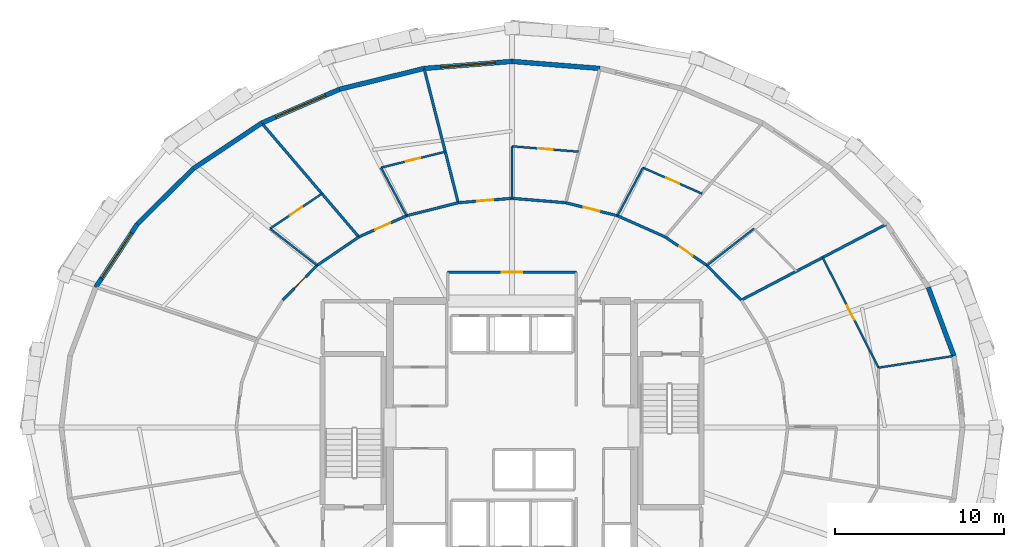
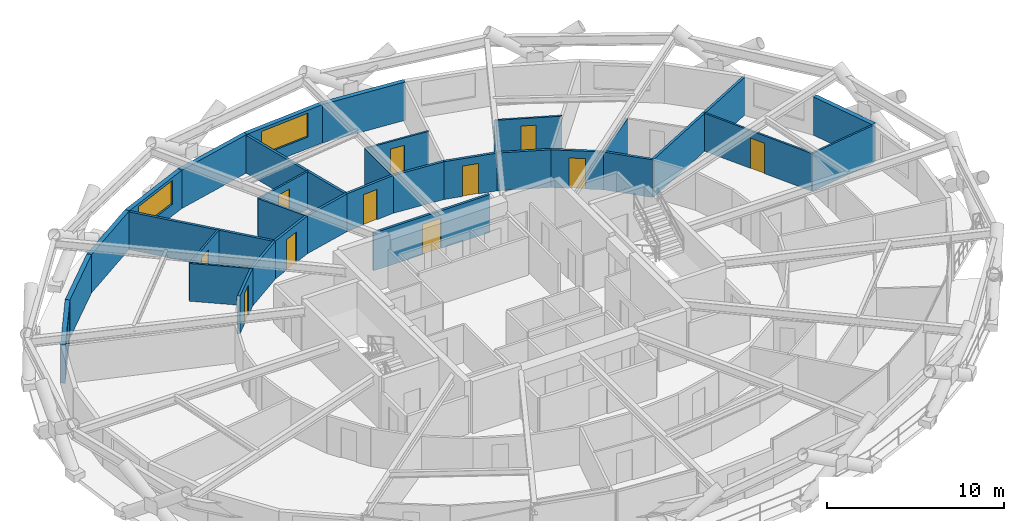
# One storey, part 14 of 17: 33 walls, 11 doors, 3 windows, 14 openings.
"""IFC4 building model written with IfcOpenShell, lengths in metres."""

from ifc_helpers import new_model, si_unit, direction, frame, frame_2d, origin, place, context, subcontext, project, spatial, rectangle, extrude, material, layer, layer_set, type_object, element, fill, save


model = new_model("IFC4")

# Units and contexts
model_context = context("Model", 3, precision=1e-05, world=origin(), true_north=direction((0.0, 1.0)))
body_context = subcontext(model_context, "Body", "Model", "MODEL_VIEW")
ifc_project = project(units=[si_unit("LENGTHUNIT", "METRE"), si_unit("AREAUNIT", "SQUARE_METRE"), si_unit("VOLUMEUNIT", "CUBIC_METRE"), si_unit("PLANEANGLEUNIT", "RADIAN"), si_unit("MASSUNIT", "GRAM", prefix="KILO")], contexts=[model_context])

# Site, building, storey
site_placement = place(None, origin())
site = spatial("IfcSite", under=ifc_project, at=site_placement, CompositionType="ELEMENT")
building_placement = place(site_placement, origin())
building = spatial("IfcBuilding", under=site, at=building_placement, Name="Veldorina Hangang Commons", CompositionType="ELEMENT")
storey_placement = place(building_placement, frame((0.0, 0.0, 55.60009765625)))
storey = spatial("IfcBuildingStorey", under=building, at=storey_placement, Name="L13", CompositionType="ELEMENT", Elevation=55.60009765625)

# Walls
ifc_material_1 = material(Name="Stone Roman Travertine", Category="masonry")
ifc_layer_1 = layer(ifc_material_1, 0.280029296875)
ifc_layer_set_1 = layer_set([ifc_layer_1], Name="Stone Roman Travertine")
wall_type_1 = type_object("IfcWallType", Name="EW-TRAV-280", PredefinedType="STANDARD", material=ifc_layer_set_1)
wall_1_placement = place(storey_placement, frame((58.089599609375, 28.214111328125, 0.0), z_axis=(0.0, 0.0, 1.0), x_axis=(-0.349991270329, 0.936752961401, 0.0)))
element("IfcWall", 1, at=wall_1_placement, inside=storey, type_object=wall_type_1, Name="L13 travertine facade wall 01", PredefinedType="STANDARD", context=body_context, shape_type="SweptSolid", body=[
    extrude(rectangle(XDim=4.32568359375, YDim=0.280029296875, at=frame_2d((2.162841796875, 0.0))), origin(), (0.0, 0.0, 1.0), 2.64990234375),
])
wall_2_placement = place(storey_placement, frame((37.189453125, 45.185546875, 0.0), z_axis=(0.0, 0.0, 1.0), x_axis=(-0.996817067632, 0.079722855428, 0.0)))
element("IfcWall", 2, at=wall_2_placement, inside=storey, type_object=wall_type_1, Name="L13 travertine facade wall 07", PredefinedType="STANDARD", context=body_context, shape_type="SweptSolid", body=[
    extrude(rectangle(XDim=5.2060546875, YDim=0.280029296875, at=frame_2d((2.60302734375, 0.0))), origin(), (0.0, 0.0, 1.0), 2.64990234375),
])

# Wall, opening, window
wall_3_placement = place(storey_placement, frame((32.0, 45.6005859375, 0.0), z_axis=(0.0, 0.0, 1.0), x_axis=(-0.996817067632, -0.079722855428, 0.0)))
wall_3 = element("IfcWall", 3, at=wall_3_placement, inside=storey, type_object=wall_type_1, Name="L13 travertine facade wall 08", PredefinedType="STANDARD", context=body_context, shape_type="SweptSolid", body=[
    extrude(rectangle(XDim=5.2060546875, YDim=0.280029296875, at=frame_2d((2.60302734375, 0.0))), origin(), (0.0, 0.0, 1.0), 2.64990234375),
])
opening_1_placement = place(wall_3_placement, frame((1.0029296875, 0.0, 0.800048828125)))
opening_1 = element("IfcOpeningElement", 4, at=opening_1_placement, cuts=wall_3, Name="Opening W-01", PredefinedType="OPENING", context=body_context, shape_type="SweptSolid", body=[
    extrude(rectangle(XDim=3.199951171875, YDim=1.64990234375, at=frame_2d((1.60009765625, 0.824951171875))), frame((0.0, 0.14990234375, 0.0), z_axis=(0.0, -1.0, 0.0), x_axis=(1.0, 0.0, 0.0)), (0.0, 0.0, 1.0), 0.300048828125),
])
ifc_material_2 = material(Name="Glass Low-E Triple IGU", Category="glass")
window_type = type_object("IfcWindowType", Name="WIN-TWR-3200", PartitioningType="SINGLE_PANEL", PredefinedType="WINDOW", material=ifc_material_2)
window_1_placement = place(opening_1_placement, origin())
window_1 = element("IfcWindow", 5, at=window_1_placement, inside=storey, type_object=window_type, Name="L13 facade window 08", OverallHeight=1.64990234375, OverallWidth=3.199951171875, PartitioningType="SINGLE_PANEL", PredefinedType="WINDOW", context=body_context, shape_type="SweptSolid", body=[
    extrude(rectangle(XDim=3.199951171875, YDim=1.64990234375, at=frame_2d((1.60009765625, 0.824951171875))), frame((0.0, 0.030029296875, 0.0), z_axis=(0.0, -1.0, 0.0), x_axis=(1.0, 0.0, 0.0)), (0.0, 0.0, 1.0), 0.06005859375),
])
fill(opening_1, window_1)

# Wall
wall_4_placement = place(storey_placement, frame((26.810546875, 45.185546875, 0.0), z_axis=(0.0, 0.0, 1.0), x_axis=(-0.970975005179, -0.23918097608, 0.0)))
element("IfcWall", 6, at=wall_4_placement, inside=storey, type_object=wall_type_1, Name="L13 travertine facade wall 09", PredefinedType="STANDARD", context=body_context, shape_type="SweptSolid", body=[
    extrude(rectangle(XDim=5.139404296875, YDim=0.280029296875, at=frame_2d((2.56982421875, 0.0))), origin(), (0.0, 0.0, 1.0), 2.64990234375),
])

# Wall, opening, window
wall_5_placement = place(storey_placement, frame((21.8203125, 43.956298828125, 0.0), z_axis=(0.0, 0.0, 1.0), x_axis=(-0.917319172231, -0.398152654465, 0.0)))
wall_5 = element("IfcWall", 7, at=wall_5_placement, inside=storey, type_object=wall_type_1, Name="L13 travertine facade wall 10", PredefinedType="STANDARD", context=body_context, shape_type="SweptSolid", body=[
    extrude(rectangle(XDim=5.013427734375, YDim=0.280029296875, at=frame_2d((2.5068359375, 0.0))), origin(), (0.0, 0.0, 1.0), 2.64990234375),
])
opening_2_placement = place(wall_5_placement, frame((0.90673828125, 0.0, 0.800048828125)))
opening_2 = element("IfcOpeningElement", 8, at=opening_2_placement, cuts=wall_5, Name="Opening W-01", PredefinedType="OPENING", context=body_context, shape_type="SweptSolid", body=[
    extrude(rectangle(XDim=3.199951171875, YDim=1.64990234375, at=frame_2d((1.60009765625, 0.824951171875))), frame((0.0, 0.14990234375, 0.0), z_axis=(0.0, -1.0, 0.0), x_axis=(1.0, 0.0, 0.0)), (0.0, 0.0, 1.0), 0.300048828125),
])
window_2_placement = place(opening_2_placement, origin())
window_2 = element("IfcWindow", 9, at=window_2_placement, inside=storey, type_object=window_type, Name="L13 facade window 10", OverallHeight=1.64990234375, OverallWidth=3.199951171875, PartitioningType="SINGLE_PANEL", PredefinedType="WINDOW", context=body_context, shape_type="SweptSolid", body=[
    extrude(rectangle(XDim=3.199951171875, YDim=1.64990234375, at=frame_2d((1.60009765625, 0.824951171875))), frame((0.0, 0.030029296875, 0.0), z_axis=(0.0, -1.0, 0.0), x_axis=(1.0, 0.0, 0.0)), (0.0, 0.0, 1.0), 0.06005859375),
])
fill(opening_2, window_2)

# Walls
wall_6_placement = place(storey_placement, frame((17.221435546875, 41.960205078125, 0.0), z_axis=(0.0, 0.0, 1.0), x_axis=(-0.832151080198, -0.55454898767, 0.0)))
element("IfcWall", 10, at=wall_6_placement, inside=storey, type_object=wall_type_1, Name="L13 travertine facade wall 11", PredefinedType="STANDARD", context=body_context, shape_type="SweptSolid", body=[
    extrude(rectangle(XDim=4.843994140625, YDim=0.280029296875, at=frame_2d((2.421875, 0.0))), origin(), (0.0, 0.0, 1.0), 2.64990234375),
])
wall_7_placement = place(storey_placement, frame((13.1904296875, 39.27392578125, 0.0), z_axis=(0.0, 0.0, 1.0), x_axis=(-0.710847800391, -0.703345864195, 0.0)))
element("IfcWall", 11, at=wall_7_placement, inside=storey, type_object=wall_type_1, Name="L13 travertine facade wall 12", PredefinedType="STANDARD", context=body_context, shape_type="SweptSolid", body=[
    extrude(rectangle(XDim=4.65380859375, YDim=0.280029296875, at=frame_2d((2.326904296875, 0.0))), origin(), (0.0, 0.0, 1.0), 2.64990234375),
])

# Wall, opening, window
wall_8_placement = place(storey_placement, frame((9.88232421875, 36.000732421875, 0.0), z_axis=(0.0, 0.0, 1.0), x_axis=(-0.549775955505, -0.835312156471, 0.0)))
wall_8 = element("IfcWall", 12, at=wall_8_placement, inside=storey, type_object=wall_type_1, Name="L13 travertine facade wall 13", PredefinedType="STANDARD", context=body_context, shape_type="SweptSolid", body=[
    extrude(rectangle(XDim=4.470947265625, YDim=0.280029296875, at=frame_2d((2.2353515625, 0.0))), origin(), (0.0, 0.0, 1.0), 2.64990234375),
])
opening_3_placement = place(wall_8_placement, frame((0.635498046875, 0.0, 0.800048828125)))
opening_3 = element("IfcOpeningElement", 13, at=opening_3_placement, cuts=wall_8, Name="Opening W-01", PredefinedType="OPENING", context=body_context, shape_type="SweptSolid", body=[
    extrude(rectangle(XDim=3.199951171875, YDim=1.64990234375, at=frame_2d((1.60009765625, 0.824951171875))), frame((0.0, 0.14990234375, 0.0), z_axis=(0.0, -1.0, 0.0), x_axis=(1.0, 0.0, 0.0)), (0.0, 0.0, 1.0), 0.300048828125),
])
window_3_placement = place(opening_3_placement, origin())
window_3 = element("IfcWindow", 14, at=window_3_placement, inside=storey, type_object=window_type, Name="L13 facade window 13", OverallHeight=1.64990234375, OverallWidth=3.199951171875, PartitioningType="SINGLE_PANEL", PredefinedType="WINDOW", context=body_context, shape_type="SweptSolid", body=[
    extrude(rectangle(XDim=3.199951171875, YDim=1.64990234375, at=frame_2d((1.60009765625, 0.824951171875))), frame((0.0, 0.030029296875, 0.0), z_axis=(0.0, -1.0, 0.0), x_axis=(1.0, 0.0, 0.0)), (0.0, 0.0, 1.0), 0.06005859375),
])
fill(opening_3, window_3)

# Wall, opening, door
ifc_material_3 = material(Name="Gypsum Fire-Rated Twin Stud Wall", Category="gypsum")
ifc_layer_2 = layer(ifc_material_3, 0.159912109375)
ifc_layer_set_2 = layer_set([ifc_layer_2], Name="Gypsum Fire-Rated Twin Stud Wall")
wall_type_2 = type_object("IfcWallType", Name="WL-FIRE-160", PredefinedType="SOLIDWALL", material=ifc_layer_set_2)
wall_9_placement = place(storey_placement, frame((28.199951171875, 33.14990234375, 0.0), z_axis=(0.0, 0.0, 1.0), x_axis=(1.0, 0.0, 0.0)))
wall_9 = element("IfcWall", 15, at=wall_9_placement, inside=storey, type_object=wall_type_2, Name="L13 North lobby north wall 034", PredefinedType="SOLIDWALL", context=body_context, shape_type="SweptSolid", body=[
    extrude(rectangle(XDim=7.60009765625, YDim=0.159912109375, at=frame_2d((3.800048828125, 0.0))), origin(), (0.0, 0.0, 1.0), 2.60986328125),
])
opening_4_placement = place(wall_9_placement, frame((3.199951171875, 0.0, 0.0)))
opening_4 = element("IfcOpeningElement", 16, at=opening_4_placement, cuts=wall_9, Name="Opening D-09", PredefinedType="OPENING", context=body_context, shape_type="SweptSolid", body=[
    extrude(rectangle(XDim=1.199951171875, YDim=2.10009765625, at=frame_2d((0.60009765625, 1.050048828125))), frame((0.0, 0.08984375, 0.0), z_axis=(0.0, -1.0, 0.0), x_axis=(1.0, 0.0, 0.0)), (0.0, 0.0, 1.0), 0.179931640625),
])
ifc_material_4 = material(Name="Steel Fire-Rated Corridor Door", Category="steel")
door_type_1 = type_object("IfcDoorType", Name="DR-FIRE-1200", OperationType="SINGLE_SWING_LEFT", PredefinedType="DOOR", material=ifc_material_4)
door_1_placement = place(opening_4_placement, origin())
door_1 = element("IfcDoor", 17, at=door_1_placement, inside=storey, type_object=door_type_1, Name="L13 North lift lobby corridor door 012", OperationType="SINGLE_SWING_RIGHT", OverallHeight=2.10009765625, OverallWidth=1.199951171875, PredefinedType="DOOR", context=body_context, shape_type="SweptSolid", body=[
    extrude(rectangle(XDim=1.199951171875, YDim=2.10009765625, at=frame_2d((0.60009765625, 1.050048828125))), frame((0.0, 0.02490234375, 0.0), z_axis=(0.0, -1.0, 0.0), x_axis=(1.0, 0.0, 0.0)), (0.0, 0.0, 1.0), 0.050048828125),
])
fill(opening_4, door_1)

# Wall
wall_10_placement = place(storey_placement, frame((45.53125, 31.51025390625, 0.0), z_axis=(0.0, 0.0, 1.0), x_axis=(-0.702811997, 0.711375636969, 0.0)))
element("IfcWall", 18, at=wall_10_placement, inside=storey, type_object=wall_type_2, Name="L13 Corridor outer wall 03 050", PredefinedType="SOLIDWALL", context=body_context, shape_type="SweptSolid", body=[
    extrude(rectangle(XDim=2.87939453125, YDim=0.159912109375, at=frame_2d((1.439697265625, 0.0))), origin(), (0.0, 0.0, 1.0), 2.60986328125),
])

# Wall, opening, door
wall_11_placement = place(storey_placement, frame((43.507568359375, 33.55859375, 0.0), z_axis=(0.0, 0.0, 1.0), x_axis=(-0.826293096206, 0.56324037423, 0.0)))
wall_11 = element("IfcWall", 19, at=wall_11_placement, inside=storey, type_object=wall_type_2, Name="L13 Corridor outer wall 04 051", PredefinedType="SOLIDWALL", context=body_context, shape_type="SweptSolid", body=[
    extrude(rectangle(XDim=2.98486328125, YDim=0.159912109375, at=frame_2d((1.492431640625, 0.0))), origin(), (0.0, 0.0, 1.0), 2.60986328125),
])
opening_5_placement = place(wall_11_placement, frame((1.017333984375, 0.0, 0.0)))
opening_5 = element("IfcOpeningElement", 20, at=opening_5_placement, cuts=wall_11, Name="Opening D-03", PredefinedType="OPENING", context=body_context, shape_type="SweptSolid", body=[
    extrude(rectangle(XDim=0.949951171875, YDim=2.10009765625, at=frame_2d((0.47509765625, 1.050048828125))), frame((0.0, 0.08984375, 0.0), z_axis=(0.0, -1.0, 0.0), x_axis=(1.0, 0.0, 0.0)), (0.0, 0.0, 1.0), 0.179931640625),
])
ifc_material_5 = material(Name="Timber Fire-Rated Entrance Core", Category="wood")
door_type_2 = type_object("IfcDoorType", Name="DR-UNIT-950", OperationType="SINGLE_SWING_RIGHT", PredefinedType="DOOR", material=ifc_material_5)
door_2_placement = place(opening_5_placement, origin())
door_2 = element("IfcDoor", 21, at=door_2_placement, inside=storey, type_object=door_type_2, Name="L13 Studio 4 entrance door 030", OperationType="SINGLE_SWING_RIGHT", OverallHeight=2.10009765625, OverallWidth=0.949951171875, PredefinedType="DOOR", context=body_context, shape_type="SweptSolid", body=[
    extrude(rectangle(XDim=0.949951171875, YDim=2.10009765625, at=frame_2d((0.47509765625, 1.050048828125))), frame((0.0, 0.02490234375, 0.0), z_axis=(0.0, -1.0, 0.0), x_axis=(1.0, 0.0, 0.0)), (0.0, 0.0, 1.0), 0.050048828125),
])
fill(opening_5, door_2)

# Wall
wall_12_placement = place(storey_placement, frame((41.041259765625, 35.23974609375, 0.0), z_axis=(0.0, 0.0, 1.0), x_axis=(-0.913952123493, 0.405822024984, 0.0)))
element("IfcWall", 22, at=wall_12_placement, inside=storey, type_object=wall_type_2, Name="L13 Corridor outer wall 05 052", PredefinedType="SOLIDWALL", context=body_context, shape_type="SweptSolid", body=[
    extrude(rectangle(XDim=3.078369140625, YDim=0.159912109375, at=frame_2d((1.5390625, 0.0))), origin(), (0.0, 0.0, 1.0), 2.60986328125),
])

# Wall, opening, door
wall_13_placement = place(storey_placement, frame((38.227783203125, 36.489013671875, 0.0), z_axis=(0.0, 0.0, 1.0), x_axis=(-0.969689238064, 0.244341526521, 0.0)))
wall_13 = element("IfcWall", 23, at=wall_13_placement, inside=storey, type_object=wall_type_2, Name="L13 Corridor outer wall 06 053", PredefinedType="SOLIDWALL", context=body_context, shape_type="SweptSolid", body=[
    extrude(rectangle(XDim=3.1484375, YDim=0.159912109375, at=frame_2d((1.57421875, 0.0))), origin(), (0.0, 0.0, 1.0), 2.60986328125),
])
opening_6_placement = place(wall_13_placement, frame((1.09912109375, 0.0, 0.0)))
opening_6 = element("IfcOpeningElement", 24, at=opening_6_placement, cuts=wall_13, Name="Opening D-03", PredefinedType="OPENING", context=body_context, shape_type="SweptSolid", body=[
    extrude(rectangle(XDim=0.949951171875, YDim=2.10009765625, at=frame_2d((0.47509765625, 1.050048828125))), frame((0.0, 0.08984375, 0.0), z_axis=(0.0, -1.0, 0.0), x_axis=(1.0, 0.0, 0.0)), (0.0, 0.0, 1.0), 0.179931640625),
])
door_3_placement = place(opening_6_placement, origin())
door_3 = element("IfcDoor", 25, at=door_3_placement, inside=storey, type_object=door_type_2, Name="L13 Studio 5 entrance door 032", OperationType="SINGLE_SWING_RIGHT", OverallHeight=2.10009765625, OverallWidth=0.949951171875, PredefinedType="DOOR", context=body_context, shape_type="SweptSolid", body=[
    extrude(rectangle(XDim=0.949951171875, YDim=2.10009765625, at=frame_2d((0.47509765625, 1.050048828125))), frame((0.0, 0.02490234375, 0.0), z_axis=(0.0, -1.0, 0.0), x_axis=(1.0, 0.0, 0.0)), (0.0, 0.0, 1.0), 0.050048828125),
])
fill(opening_6, door_3)

# Wall
wall_14_placement = place(storey_placement, frame((35.1748046875, 37.25830078125, 0.0), z_axis=(0.0, 0.0, 1.0), x_axis=(-0.996669377538, 0.081548463373, 0.0)))
element("IfcWall", 26, at=wall_14_placement, inside=storey, type_object=wall_type_2, Name="L13 Corridor outer wall 07 054", PredefinedType="SOLIDWALL", context=body_context, shape_type="SweptSolid", body=[
    extrude(rectangle(XDim=3.185302734375, YDim=0.159912109375, at=frame_2d((1.5927734375, 0.0))), origin(), (0.0, 0.0, 1.0), 2.60986328125),
])

# Wall, opening, door
wall_15_placement = place(storey_placement, frame((32.0, 37.51806640625, 0.0), z_axis=(0.0, 0.0, 1.0), x_axis=(-0.996669377538, -0.081548463373, 0.0)))
wall_15 = element("IfcWall", 27, at=wall_15_placement, inside=storey, type_object=wall_type_2, Name="L13 Corridor outer wall 08 055", PredefinedType="SOLIDWALL", context=body_context, shape_type="SweptSolid", body=[
    extrude(rectangle(XDim=3.185302734375, YDim=0.159912109375, at=frame_2d((1.5927734375, 0.0))), origin(), (0.0, 0.0, 1.0), 2.60986328125),
])
opening_7_placement = place(wall_15_placement, frame((1.117919921875, 0.0, 0.0)))
opening_7 = element("IfcOpeningElement", 28, at=opening_7_placement, cuts=wall_15, Name="Opening D-03", PredefinedType="OPENING", context=body_context, shape_type="SweptSolid", body=[
    extrude(rectangle(XDim=0.949951171875, YDim=2.10009765625, at=frame_2d((0.47509765625, 1.050048828125))), frame((0.0, 0.08984375, 0.0), z_axis=(0.0, -1.0, 0.0), x_axis=(1.0, 0.0, 0.0)), (0.0, 0.0, 1.0), 0.179931640625),
])
door_4_placement = place(opening_7_placement, origin())
door_4 = element("IfcDoor", 29, at=door_4_placement, inside=storey, type_object=door_type_2, Name="L13 Studio 6 entrance door 034", OperationType="SINGLE_SWING_RIGHT", OverallHeight=2.10009765625, OverallWidth=0.949951171875, PredefinedType="DOOR", context=body_context, shape_type="SweptSolid", body=[
    extrude(rectangle(XDim=0.949951171875, YDim=2.10009765625, at=frame_2d((0.47509765625, 1.050048828125))), frame((0.0, 0.02490234375, 0.0), z_axis=(0.0, -1.0, 0.0), x_axis=(1.0, 0.0, 0.0)), (0.0, 0.0, 1.0), 0.050048828125),
])
fill(opening_7, door_4)

# Wall
wall_16_placement = place(storey_placement, frame((28.8251953125, 37.25830078125, 0.0), z_axis=(0.0, 0.0, 1.0), x_axis=(-0.969689238064, -0.244341526521, 0.0)))
element("IfcWall", 30, at=wall_16_placement, inside=storey, type_object=wall_type_2, Name="L13 Corridor outer wall 09 056", PredefinedType="SOLIDWALL", context=body_context, shape_type="SweptSolid", body=[
    extrude(rectangle(XDim=3.1484375, YDim=0.159912109375, at=frame_2d((1.57421875, 0.0))), origin(), (0.0, 0.0, 1.0), 2.60986328125),
])

# Wall, opening, door
wall_17_placement = place(storey_placement, frame((25.772216796875, 36.489013671875, 0.0), z_axis=(0.0, 0.0, 1.0), x_axis=(-0.913952123493, -0.405822024984, 0.0)))
wall_17 = element("IfcWall", 31, at=wall_17_placement, inside=storey, type_object=wall_type_2, Name="L13 Corridor outer wall 10 057", PredefinedType="SOLIDWALL", context=body_context, shape_type="SweptSolid", body=[
    extrude(rectangle(XDim=3.078369140625, YDim=0.159912109375, at=frame_2d((1.5390625, 0.0))), origin(), (0.0, 0.0, 1.0), 2.60986328125),
])
opening_8_placement = place(wall_17_placement, frame((1.064208984375, 0.0, 0.0)))
opening_8 = element("IfcOpeningElement", 32, at=opening_8_placement, cuts=wall_17, Name="Opening D-03", PredefinedType="OPENING", context=body_context, shape_type="SweptSolid", body=[
    extrude(rectangle(XDim=0.949951171875, YDim=2.10009765625, at=frame_2d((0.47509765625, 1.050048828125))), frame((0.0, 0.08984375, 0.0), z_axis=(0.0, -1.0, 0.0), x_axis=(1.0, 0.0, 0.0)), (0.0, 0.0, 1.0), 0.179931640625),
])
door_5_placement = place(opening_8_placement, origin())
door_5 = element("IfcDoor", 33, at=door_5_placement, inside=storey, type_object=door_type_2, Name="L13 Studio 7 entrance door 036", OperationType="SINGLE_SWING_RIGHT", OverallHeight=2.10009765625, OverallWidth=0.949951171875, PredefinedType="DOOR", context=body_context, shape_type="SweptSolid", body=[
    extrude(rectangle(XDim=0.949951171875, YDim=2.10009765625, at=frame_2d((0.47509765625, 1.050048828125))), frame((0.0, 0.02490234375, 0.0), z_axis=(0.0, -1.0, 0.0), x_axis=(1.0, 0.0, 0.0)), (0.0, 0.0, 1.0), 0.050048828125),
])
fill(opening_8, door_5)

# Wall
wall_18_placement = place(storey_placement, frame((22.958740234375, 35.23974609375, 0.0), z_axis=(0.0, 0.0, 1.0), x_axis=(-0.826293096206, -0.56324037423, 0.0)))
element("IfcWall", 34, at=wall_18_placement, inside=storey, type_object=wall_type_2, Name="L13 Corridor outer wall 11 058", PredefinedType="SOLIDWALL", context=body_context, shape_type="SweptSolid", body=[
    extrude(rectangle(XDim=2.98486328125, YDim=0.159912109375, at=frame_2d((1.492431640625, 0.0))), origin(), (0.0, 0.0, 1.0), 2.60986328125),
])

# Wall, opening, door
wall_19_placement = place(storey_placement, frame((20.492431640625, 33.55859375, 0.0), z_axis=(0.0, 0.0, 1.0), x_axis=(-0.702811997, -0.711375636969, 0.0)))
wall_19 = element("IfcWall", 35, at=wall_19_placement, inside=storey, type_object=wall_type_2, Name="L13 Corridor outer wall 12 059", PredefinedType="SOLIDWALL", context=body_context, shape_type="SweptSolid", body=[
    extrude(rectangle(XDim=2.87939453125, YDim=0.159912109375, at=frame_2d((1.439697265625, 0.0))), origin(), (0.0, 0.0, 1.0), 2.60986328125),
])
opening_9_placement = place(wall_19_placement, frame((0.96484375, 0.0, 0.0)))
opening_9 = element("IfcOpeningElement", 36, at=opening_9_placement, cuts=wall_19, Name="Opening D-03", PredefinedType="OPENING", context=body_context, shape_type="SweptSolid", body=[
    extrude(rectangle(XDim=0.949951171875, YDim=2.10009765625, at=frame_2d((0.47509765625, 1.050048828125))), frame((0.0, 0.08984375, 0.0), z_axis=(0.0, -1.0, 0.0), x_axis=(1.0, 0.0, 0.0)), (0.0, 0.0, 1.0), 0.179931640625),
])
door_6_placement = place(opening_9_placement, origin())
door_6 = element("IfcDoor", 37, at=door_6_placement, inside=storey, type_object=door_type_2, Name="L13 Studio 8 entrance door 038", OperationType="SINGLE_SWING_RIGHT", OverallHeight=2.10009765625, OverallWidth=0.949951171875, PredefinedType="DOOR", context=body_context, shape_type="SweptSolid", body=[
    extrude(rectangle(XDim=0.949951171875, YDim=2.10009765625, at=frame_2d((0.47509765625, 1.050048828125))), frame((0.0, 0.02490234375, 0.0), z_axis=(0.0, -1.0, 0.0), x_axis=(1.0, 0.0, 0.0)), (0.0, 0.0, 1.0), 0.050048828125),
])
fill(opening_9, door_6)

# Walls
wall_20_placement = place(storey_placement, frame((45.53125, 31.51025390625, 0.0), z_axis=(0.0, 0.0, 1.0), x_axis=(0.886139175606, 0.463419207043, 0.0)))
element("IfcWall", 38, at=wall_20_placement, inside=storey, type_object=wall_type_2, Name="L13 Unit party wall 03 096", PredefinedType="SOLIDWALL", context=body_context, shape_type="SweptSolid", body=[
    extrude(rectangle(XDim=9.639892578125, YDim=0.159912109375, at=frame_2d((4.81982421875, 0.0))), origin(), (0.0, 0.0, 1.0), 2.60986328125),
])
wall_21_placement = place(storey_placement, frame((28.8251953125, 37.25830078125, 0.0), z_axis=(0.0, 0.0, 1.0), x_axis=(-0.246321324304, 0.969188219694, 0.0)))
element("IfcWall", 39, at=wall_21_placement, inside=storey, type_object=wall_type_2, Name="L13 Unit party wall 09 105", PredefinedType="SOLIDWALL", context=body_context, shape_type="SweptSolid", body=[
    extrude(rectangle(XDim=8.12939453125, YDim=0.159912109375, at=frame_2d((4.064697265625, 0.0))), origin(), (0.0, 0.0, 1.0), 2.60986328125),
])
wall_22_placement = place(storey_placement, frame((22.958740234375, 35.23974609375, 0.0), z_axis=(0.0, 0.0, 1.0), x_axis=(-0.649272964512, 0.760555466454, 0.0)))
element("IfcWall", 40, at=wall_22_placement, inside=storey, type_object=wall_type_2, Name="L13 Unit party wall 11 108", PredefinedType="SOLIDWALL", context=body_context, shape_type="SweptSolid", body=[
    extrude(rectangle(XDim=8.786376953125, YDim=0.159912109375, at=frame_2d((4.39306640625, 0.0))), origin(), (0.0, 0.0, 1.0), 2.60986328125),
])

# Wall, opening, door
ifc_material_6 = material(Name="Gypsum Acoustic Stud Partition", Category="gypsum")
ifc_layer_3 = layer(ifc_material_6, 0.1201171875)
ifc_layer_set_3 = layer_set([ifc_layer_3], Name="Gypsum Acoustic Stud Partition")
wall_type_3 = type_object("IfcWallType", Name="WL-PART-120", PredefinedType="PARTITIONING", material=ifc_layer_set_3)
wall_23_placement = place(storey_placement, frame((53.633056640625, 27.520263671875, 0.0), z_axis=(0.0, 0.0, 1.0), x_axis=(-0.451721769602, 0.892158866384, 0.0)))
wall_23 = element("IfcWall", 41, at=wall_23_placement, inside=storey, type_object=wall_type_3, Name="L13 Cluster 3 bed 2 front wall 094", PredefinedType="PARTITIONING", context=body_context, shape_type="SweptSolid", body=[
    extrude(rectangle(XDim=7.291015625, YDim=0.1201171875, at=frame_2d((3.6455078125, 0.0))), origin(), (0.0, 0.0, 1.0), 2.60986328125),
])
opening_10_placement = place(wall_23_placement, frame((3.17041015625, 0.0, 0.0)))
opening_10 = element("IfcOpeningElement", 42, at=opening_10_placement, cuts=wall_23, Name="Opening D-02", PredefinedType="OPENING", context=body_context, shape_type="SweptSolid", body=[
    extrude(rectangle(XDim=0.949951171875, YDim=2.10009765625, at=frame_2d((0.47509765625, 1.050048828125))), frame((0.0, 0.070068359375, 0.0), z_axis=(0.0, -1.0, 0.0), x_axis=(1.0, 0.0, 0.0)), (0.0, 0.0, 1.0), 0.14013671875),
])
ifc_material_7 = material(Name="Timber Solid Core Acoustic", Category="wood")
door_type_3 = type_object("IfcDoorType", Name="DR-INT-950", OperationType="SINGLE_SWING_LEFT", PredefinedType="DOOR", material=ifc_material_7)
door_7_placement = place(opening_10_placement, origin())
door_7 = element("IfcDoor", 43, at=door_7_placement, inside=storey, type_object=door_type_3, Name="L13 Cluster 3 bed 2 door 028", OperationType="SINGLE_SWING_RIGHT", OverallHeight=2.10009765625, OverallWidth=0.949951171875, PredefinedType="DOOR", context=body_context, shape_type="SweptSolid", body=[
    extrude(rectangle(XDim=0.949951171875, YDim=2.10009765625, at=frame_2d((0.47509765625, 1.050048828125))), frame((0.0, 0.02490234375, 0.0), z_axis=(0.0, -1.0, 0.0), x_axis=(1.0, 0.0, 0.0)), (0.0, 0.0, 1.0), 0.050048828125),
])
fill(opening_10, door_7)

# Walls
wall_24_placement = place(storey_placement, frame((53.633056640625, 27.520263671875, 0.0), z_axis=(0.0, 0.0, 1.0), x_axis=(0.988100575884, 0.153809141271, 0.0)))
element("IfcWall", 44, at=wall_24_placement, inside=storey, type_object=wall_type_3, Name="L13 Cluster 3 bed divider 1 095", PredefinedType="PARTITIONING", context=body_context, shape_type="SweptSolid", body=[
    extrude(rectangle(XDim=4.460205078125, YDim=0.1201171875, at=frame_2d((2.22998046875, 0.0))), origin(), (0.0, 0.0, 1.0), 2.60986328125),
])
wall_25_placement = place(storey_placement, frame((43.507568359375, 33.55859375, 0.0), z_axis=(0.0, 0.0, 1.0), x_axis=(0.787449438054, 0.616379252172, 0.0)))
element("IfcWall", 45, at=wall_25_placement, inside=storey, type_object=wall_type_3, Name="L13 Studio 4 bath side wall 098", PredefinedType="PARTITIONING", context=body_context, shape_type="SweptSolid", body=[
    extrude(rectangle(XDim=3.523681640625, YDim=0.1201171875, at=frame_2d((1.76171875, 0.0))), origin(), (0.0, 0.0, 1.0), 2.60986328125),
])

# Wall, opening, door
wall_26_placement = place(storey_placement, frame((43.221435546875, 37.793701171875, 0.0), z_axis=(0.0, 0.0, 1.0), x_axis=(-0.915652650889, 0.40197042543, 0.0)))
wall_26 = element("IfcWall", 46, at=wall_26_placement, inside=storey, type_object=wall_type_3, Name="L13 Studio 5 bath front wall 100", PredefinedType="PARTITIONING", context=body_context, shape_type="SweptSolid", body=[
    extrude(rectangle(XDim=3.813720703125, YDim=0.1201171875, at=frame_2d((1.90673828125, 0.0))), origin(), (0.0, 0.0, 1.0), 2.60986328125),
])
opening_11_placement = place(wall_26_placement, frame((1.476806640625, 0.0, 0.0)))
opening_11 = element("IfcOpeningElement", 47, at=opening_11_placement, cuts=wall_26, Name="Opening D-01", PredefinedType="OPENING", context=body_context, shape_type="SweptSolid", body=[
    extrude(rectangle(XDim=0.860107421875, YDim=2.10009765625, at=frame_2d((0.43017578125, 1.050048828125))), frame((0.0, 0.070068359375, 0.0), z_axis=(0.0, -1.0, 0.0), x_axis=(1.0, 0.0, 0.0)), (0.0, 0.0, 1.0), 0.14013671875),
])
ifc_material_8 = material(Name="Timber Moisture-Resistant Core", Category="wood")
door_type_4 = type_object("IfcDoorType", Name="DR-WET-860", OperationType="SINGLE_SWING_LEFT", PredefinedType="DOOR", material=ifc_material_8)
door_8_placement = place(opening_11_placement, origin())
door_8 = element("IfcDoor", 48, at=door_8_placement, inside=storey, type_object=door_type_4, Name="L13 Studio 5 bathroom door 031", OperationType="SINGLE_SWING_LEFT", OverallHeight=2.10009765625, OverallWidth=0.860107421875, PredefinedType="DOOR", context=body_context, shape_type="SweptSolid", body=[
    extrude(rectangle(XDim=0.860107421875, YDim=2.10009765625, at=frame_2d((0.43017578125, 1.050048828125))), frame((0.0, 0.02490234375, 0.0), z_axis=(0.0, -1.0, 0.0), x_axis=(1.0, 0.0, 0.0)), (0.0, 0.0, 1.0), 0.050048828125),
])
fill(opening_11, door_8)

# Wall
wall_27_placement = place(storey_placement, frame((38.227783203125, 36.489013671875, 0.0), z_axis=(0.0, 0.0, 1.0), x_axis=(0.467747957636, 0.883861894261, 0.0)))
element("IfcWall", 49, at=wall_27_placement, inside=storey, type_object=wall_type_3, Name="L13 Studio 5 bath side wall 101", PredefinedType="PARTITIONING", context=body_context, shape_type="SweptSolid", body=[
    extrude(rectangle(XDim=3.21044921875, YDim=0.1201171875, at=frame_2d((1.605224609375, 0.0))), origin(), (0.0, 0.0, 1.0), 2.60986328125),
])

# Wall, opening, door
wall_28_placement = place(storey_placement, frame((35.9404296875, 40.270751953125, 0.0), z_axis=(0.0, 0.0, 1.0), x_axis=(-0.996747173422, 0.080592011234, 0.0)))
wall_28 = element("IfcWall", 50, at=wall_28_placement, inside=storey, type_object=wall_type_3, Name="L13 Studio 6 bath front wall 103", PredefinedType="PARTITIONING", context=body_context, shape_type="SweptSolid", body=[
    extrude(rectangle(XDim=3.953369140625, YDim=0.1201171875, at=frame_2d((1.9765625, 0.0))), origin(), (0.0, 0.0, 1.0), 2.60986328125),
])
opening_12_placement = place(wall_28_placement, frame((1.546630859375, 0.0, 0.0)))
opening_12 = element("IfcOpeningElement", 51, at=opening_12_placement, cuts=wall_28, Name="Opening D-01", PredefinedType="OPENING", context=body_context, shape_type="SweptSolid", body=[
    extrude(rectangle(XDim=0.860107421875, YDim=2.10009765625, at=frame_2d((0.43017578125, 1.050048828125))), frame((0.0, 0.070068359375, 0.0), z_axis=(0.0, -1.0, 0.0), x_axis=(1.0, 0.0, 0.0)), (0.0, 0.0, 1.0), 0.14013671875),
])
door_9_placement = place(opening_12_placement, origin())
door_9 = element("IfcDoor", 52, at=door_9_placement, inside=storey, type_object=door_type_4, Name="L13 Studio 6 bathroom door 033", OperationType="SINGLE_SWING_LEFT", OverallHeight=2.10009765625, OverallWidth=0.860107421875, PredefinedType="DOOR", context=body_context, shape_type="SweptSolid", body=[
    extrude(rectangle(XDim=0.860107421875, YDim=2.10009765625, at=frame_2d((0.43017578125, 1.050048828125))), frame((0.0, 0.02490234375, 0.0), z_axis=(0.0, -1.0, 0.0), x_axis=(1.0, 0.0, 0.0)), (0.0, 0.0, 1.0), 0.050048828125),
])
fill(opening_12, door_9)

# Wall
wall_29_placement = place(storey_placement, frame((32.0, 37.51806640625, 0.0), z_axis=(0.0, 0.0, 1.0), x_axis=(0.0, 1.0, 0.0)))
element("IfcWall", 53, at=wall_29_placement, inside=storey, type_object=wall_type_3, Name="L13 Studio 6 bath side wall 104", PredefinedType="PARTITIONING", context=body_context, shape_type="SweptSolid", body=[
    extrude(rectangle(XDim=3.0712890625, YDim=0.1201171875, at=frame_2d((1.53564453125, 0.0))), origin(), (0.0, 0.0, 1.0), 2.60986328125),
])

# Wall, opening, door
wall_30_placement = place(storey_placement, frame((28.0595703125, 40.270751953125, 0.0), z_axis=(0.0, 0.0, 1.0), x_axis=(-0.97033344074, -0.241770580885, 0.0)))
wall_30 = element("IfcWall", 54, at=wall_30_placement, inside=storey, type_object=wall_type_3, Name="L13 Studio 7 bath front wall 106", PredefinedType="PARTITIONING", context=body_context, shape_type="SweptSolid", body=[
    extrude(rectangle(XDim=3.905029296875, YDim=0.1201171875, at=frame_2d((1.95263671875, 0.0))), origin(), (0.0, 0.0, 1.0), 2.60986328125),
])
opening_13_placement = place(wall_30_placement, frame((1.5224609375, 0.0, 0.0)))
opening_13 = element("IfcOpeningElement", 55, at=opening_13_placement, cuts=wall_30, Name="Opening D-01", PredefinedType="OPENING", context=body_context, shape_type="SweptSolid", body=[
    extrude(rectangle(XDim=0.860107421875, YDim=2.10009765625, at=frame_2d((0.43017578125, 1.050048828125))), frame((0.0, 0.070068359375, 0.0), z_axis=(0.0, -1.0, 0.0), x_axis=(1.0, 0.0, 0.0)), (0.0, 0.0, 1.0), 0.14013671875),
])
door_10_placement = place(opening_13_placement, origin())
door_10 = element("IfcDoor", 56, at=door_10_placement, inside=storey, type_object=door_type_4, Name="L13 Studio 7 bathroom door 035", OperationType="SINGLE_SWING_LEFT", OverallHeight=2.10009765625, OverallWidth=0.860107421875, PredefinedType="DOOR", context=body_context, shape_type="SweptSolid", body=[
    extrude(rectangle(XDim=0.860107421875, YDim=2.10009765625, at=frame_2d((0.43017578125, 1.050048828125))), frame((0.0, 0.02490234375, 0.0), z_axis=(0.0, -1.0, 0.0), x_axis=(1.0, 0.0, 0.0)), (0.0, 0.0, 1.0), 0.050048828125),
])
fill(opening_13, door_10)

# Wall
wall_31_placement = place(storey_placement, frame((25.772216796875, 36.489013671875, 0.0), z_axis=(0.0, 0.0, 1.0), x_axis=(-0.467747957636, 0.883861894261, 0.0)))
element("IfcWall", 57, at=wall_31_placement, inside=storey, type_object=wall_type_3, Name="L13 Studio 7 bath side wall 107", PredefinedType="PARTITIONING", context=body_context, shape_type="SweptSolid", body=[
    extrude(rectangle(XDim=3.21044921875, YDim=0.1201171875, at=frame_2d((1.605224609375, 0.0))), origin(), (0.0, 0.0, 1.0), 2.60986328125),
])

# Wall, opening, door
wall_32_placement = place(storey_placement, frame((20.778564453125, 37.793701171875, 0.0), z_axis=(0.0, 0.0, 1.0), x_axis=(-0.829200453513, -0.558951346625, 0.0)))
wall_32 = element("IfcWall", 58, at=wall_32_placement, inside=storey, type_object=wall_type_3, Name="L13 Studio 8 bath front wall 109", PredefinedType="PARTITIONING", context=body_context, shape_type="SweptSolid", body=[
    extrude(rectangle(XDim=3.691162109375, YDim=0.1201171875, at=frame_2d((1.845703125, 0.0))), origin(), (0.0, 0.0, 1.0), 2.60986328125),
])
opening_14_placement = place(wall_32_placement, frame((1.41552734375, 0.0, 0.0)))
opening_14 = element("IfcOpeningElement", 59, at=opening_14_placement, cuts=wall_32, Name="Opening D-01", PredefinedType="OPENING", context=body_context, shape_type="SweptSolid", body=[
    extrude(rectangle(XDim=0.860107421875, YDim=2.10009765625, at=frame_2d((0.43017578125, 1.050048828125))), frame((0.0, 0.070068359375, 0.0), z_axis=(0.0, -1.0, 0.0), x_axis=(1.0, 0.0, 0.0)), (0.0, 0.0, 1.0), 0.14013671875),
])
door_11_placement = place(opening_14_placement, origin())
door_11 = element("IfcDoor", 60, at=door_11_placement, inside=storey, type_object=door_type_4, Name="L13 Studio 8 bathroom door 037", OperationType="SINGLE_SWING_LEFT", OverallHeight=2.10009765625, OverallWidth=0.860107421875, PredefinedType="DOOR", context=body_context, shape_type="SweptSolid", body=[
    extrude(rectangle(XDim=0.860107421875, YDim=2.10009765625, at=frame_2d((0.43017578125, 1.050048828125))), frame((0.0, 0.02490234375, 0.0), z_axis=(0.0, -1.0, 0.0), x_axis=(1.0, 0.0, 0.0)), (0.0, 0.0, 1.0), 0.050048828125),
])
fill(opening_14, door_11)

# Wall
wall_33_placement = place(storey_placement, frame((20.492431640625, 33.55859375, 0.0), z_axis=(0.0, 0.0, 1.0), x_axis=(-0.787449438054, 0.616379252172, 0.0)))
element("IfcWall", 61, at=wall_33_placement, inside=storey, type_object=wall_type_3, Name="L13 Studio 8 bath side wall 110", PredefinedType="PARTITIONING", context=body_context, shape_type="SweptSolid", body=[
    extrude(rectangle(XDim=3.523681640625, YDim=0.1201171875, at=frame_2d((1.76171875, 0.0))), origin(), (0.0, 0.0, 1.0), 2.60986328125),
])

save(model, "model.ifc")
